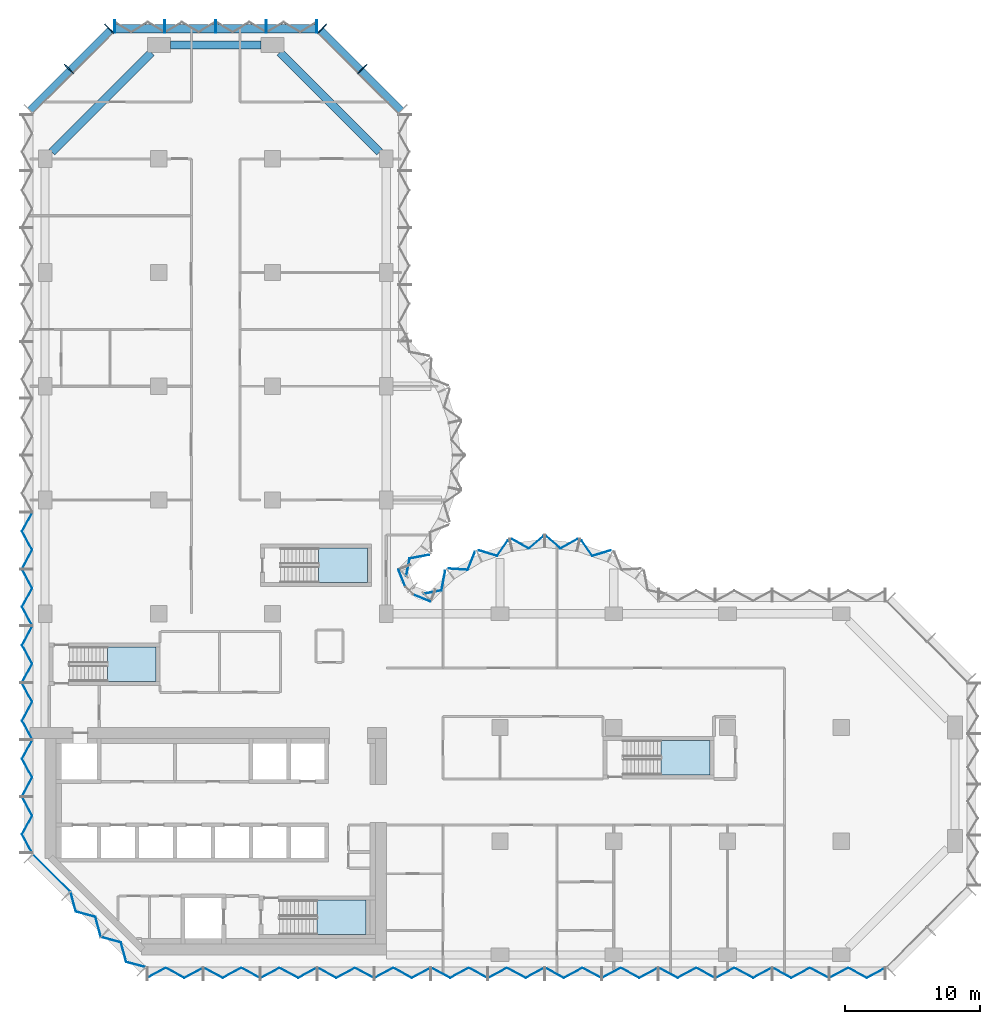
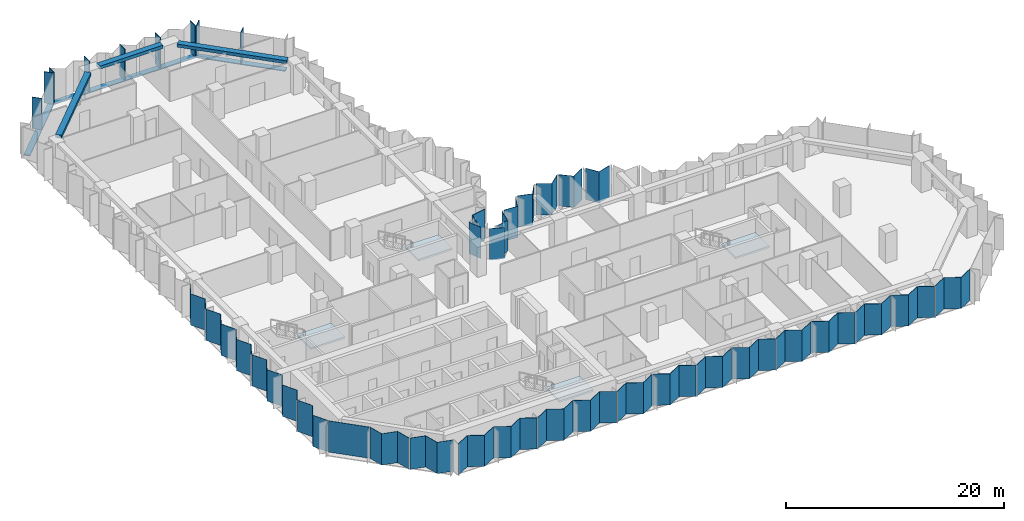
# One storey, part 5 of 13: 31 plates, 12 members, 4 slabs, 3 beams, 13 elements without a shape of their own.
"""IFC4 building model written with IfcOpenShell, lengths in metres."""

from ifc_helpers import new_model, si_unit, direction, frame, origin, origin_2d, place, context, subcontext, project, spatial, polyline, rectangle, outline, extrude, material, layer, layer_set, material_profile, profile_set, type_object, element, aggregate, save


model = new_model("IFC4")

# Units and contexts
model_context = context("Model", 3, precision=1e-05, world=origin(), true_north=direction((0.0, 1.0)))
body_context = subcontext(model_context, "Body", "Model", "MODEL_VIEW")
ifc_project = project(units=[si_unit("LENGTHUNIT", "METRE"), si_unit("AREAUNIT", "SQUARE_METRE"), si_unit("VOLUMEUNIT", "CUBIC_METRE"), si_unit("PLANEANGLEUNIT", "RADIAN"), si_unit("MASSUNIT", "GRAM", prefix="KILO")], contexts=[model_context])

# Site, building, storey
site_placement = place(None, origin())
site = spatial("IfcSite", under=ifc_project, at=site_placement, CompositionType="ELEMENT")
building_placement = place(site_placement, origin())
building = spatial("IfcBuilding", under=site, at=building_placement, Name="Brevane Broadcast Tower", CompositionType="ELEMENT")
storey_placement = place(building_placement, frame((0.0, 0.0, 109.699951171875)))
storey = spatial("IfcBuildingStorey", under=building, at=storey_placement, Name="L26", CompositionType="ELEMENT", Elevation=109.699951171875)

# Curtain wall, members
ifc_material_1 = material(Name="Aluminium 6063-T6 bronze anodised", Category="aluminium")
curtain_wall_type = type_object("IfcCurtainWallType", Name="CW-1 curtain wall", PredefinedType="NOTDEFINED", material=ifc_material_1)
curtain_wall_1_placement = place(storey_placement, origin())
curtain_wall_1 = element("IfcCurtainWall", 1, at=curtain_wall_1_placement, inside=storey, type_object=curtain_wall_type, Name="CW-1 typical tilted unit L26 north arm north-east chamfer", PredefinedType="NOTDEFINED")
ifc_material_profile_1 = material_profile(ifc_material_1, rectangle(XDim=0.949951171875, YDim=0.070068359375, at=origin_2d()), Name="RECT 70x950")
ifc_profile_set_1 = profile_set([ifc_material_profile_1], Name="Aluminium 6063-T6 bronze anodised")
member_type_1 = type_object("IfcMemberType", Name="CW-1 mullion 70x950", PredefinedType="MULLION", material=ifc_profile_set_1)
member_1_placement = place(storey_placement, frame((23.435791015625, 65.435791015625, -0.14990234375), z_axis=(0.0, 0.0, 1.0), x_axis=(-0.707106781187, -0.707106781187, 0.0)))
member_1 = element("IfcMember", 2, at=member_1_placement, type_object=member_type_1, Name="CW-1 mullion", PredefinedType="MULLION", context=body_context, shape_type="SweptSolid", body=[
    extrude(rectangle(XDim=0.949951171875, YDim=0.070068359375, at=origin_2d()), origin(), (0.0, 0.0, 1.0), 3.5),
])
member_2_placement = place(storey_placement, frame((20.460693359375, 68.4111328125, -0.14990234375), z_axis=(0.0, 0.0, 1.0), x_axis=(-0.707106781187, -0.707106781187, 0.0)))
member_2 = element("IfcMember", 3, at=member_2_placement, type_object=member_type_1, Name="CW-1 mullion", PredefinedType="MULLION", context=body_context, shape_type="SweptSolid", body=[
    extrude(rectangle(XDim=0.949951171875, YDim=0.070068359375, at=origin_2d()), origin(), (0.0, 0.0, 1.0), 3.5),
])

curtain_wall_2_placement = place(storey_placement, origin())
curtain_wall_2 = element("IfcCurtainWall", 4, at=curtain_wall_2_placement, inside=storey, type_object=curtain_wall_type, Name="CW-1 typical tilted unit L26 north end", PredefinedType="NOTDEFINED")
member_3_placement = place(storey_placement, frame((20.06494140625, 68.574951171875, -0.14990234375), z_axis=(0.0, 0.0, 1.0), x_axis=(0.0, -1.0, 0.0)))
member_3 = element("IfcMember", 5, at=member_3_placement, type_object=member_type_1, Name="CW-1 mullion", PredefinedType="MULLION", context=body_context, shape_type="SweptSolid", body=[
    extrude(rectangle(XDim=0.949951171875, YDim=0.070068359375, at=origin_2d()), origin(), (0.0, 0.0, 1.0), 3.5),
])
member_4_placement = place(storey_placement, frame((16.35009765625, 68.574951171875, -0.14990234375), z_axis=(0.0, 0.0, 1.0), x_axis=(0.0, -1.0, 0.0)))
member_4 = element("IfcMember", 6, at=member_4_placement, type_object=member_type_1, Name="CW-1 mullion", PredefinedType="MULLION", context=body_context, shape_type="SweptSolid", body=[
    extrude(rectangle(XDim=0.949951171875, YDim=0.070068359375, at=origin_2d()), origin(), (0.0, 0.0, 1.0), 3.5),
])
member_5_placement = place(storey_placement, frame((12.60009765625, 68.574951171875, -0.14990234375), z_axis=(0.0, 0.0, 1.0), x_axis=(0.0, -1.0, 0.0)))
member_5 = element("IfcMember", 7, at=member_5_placement, type_object=member_type_1, Name="CW-1 mullion", PredefinedType="MULLION", context=body_context, shape_type="SweptSolid", body=[
    extrude(rectangle(XDim=0.949951171875, YDim=0.070068359375, at=origin_2d()), origin(), (0.0, 0.0, 1.0), 3.5),
])
member_6_placement = place(storey_placement, frame((8.85009765625, 68.574951171875, -0.14990234375), z_axis=(0.0, 0.0, 1.0), x_axis=(0.0, -1.0, 0.0)))
member_6 = element("IfcMember", 8, at=member_6_placement, type_object=member_type_1, Name="CW-1 mullion", PredefinedType="MULLION", context=body_context, shape_type="SweptSolid", body=[
    extrude(rectangle(XDim=0.949951171875, YDim=0.070068359375, at=origin_2d()), origin(), (0.0, 0.0, 1.0), 3.5),
])
member_7_placement = place(storey_placement, frame((5.135009765625, 68.574951171875, -0.14990234375), z_axis=(0.0, 0.0, 1.0), x_axis=(0.0, -1.0, 0.0)))
member_7 = element("IfcMember", 9, at=member_7_placement, type_object=member_type_1, Name="CW-1 mullion", PredefinedType="MULLION", context=body_context, shape_type="SweptSolid", body=[
    extrude(rectangle(XDim=0.949951171875, YDim=0.070068359375, at=origin_2d()), origin(), (0.0, 0.0, 1.0), 3.5),
])

curtain_wall_3_placement = place(storey_placement, origin())
curtain_wall_3 = element("IfcCurtainWall", 10, at=curtain_wall_3_placement, inside=storey, type_object=curtain_wall_type, Name="CW-1 typical tilted unit L26 north-west chamfer", PredefinedType="NOTDEFINED")
member_8_placement = place(storey_placement, frame((4.7392578125, 68.4111328125, -0.14990234375), z_axis=(0.0, 0.0, 1.0), x_axis=(0.707106781187, -0.707106781187, 0.0)))
member_8 = element("IfcMember", 11, at=member_8_placement, type_object=member_type_1, Name="CW-1 mullion", PredefinedType="MULLION", context=body_context, shape_type="SweptSolid", body=[
    extrude(rectangle(XDim=0.949951171875, YDim=0.070068359375, at=origin_2d()), origin(), (0.0, 0.0, 1.0), 3.5),
])
member_9_placement = place(storey_placement, frame((1.76416015625, 65.435791015625, -0.14990234375), z_axis=(0.0, 0.0, 1.0), x_axis=(0.707106781187, -0.707106781187, 0.0)))
member_9 = element("IfcMember", 12, at=member_9_placement, type_object=member_type_1, Name="CW-1 mullion", PredefinedType="MULLION", context=body_context, shape_type="SweptSolid", body=[
    extrude(rectangle(XDim=0.949951171875, YDim=0.070068359375, at=origin_2d()), origin(), (0.0, 0.0, 1.0), 3.5),
])

# Member
ifc_material_profile_2 = material_profile(ifc_material_1, rectangle(XDim=0.60009765625, YDim=0.10009765625, at=origin_2d()), Name="RECT 100x600")
ifc_profile_set_2 = profile_set([ifc_material_profile_2], Name="Aluminium 6063-T6 bronze anodised")
member_type_2 = type_object("IfcMemberType", Name="CW-1 transom 100x600", PredefinedType="USERDEFINED", material=ifc_profile_set_2)
member_10_placement = place(storey_placement, frame((26.31201171875, 62.31201171875, -0.199951171875), z_axis=(-0.707106781187, 0.707106781187, 0.0), x_axis=(-0.707106781187, -0.707106781187, 0.0)))
member_10 = element("IfcMember", 13, at=member_10_placement, type_object=member_type_2, Name="CW-1 transom", ObjectType="TRANSOM", PredefinedType="USERDEFINED", context=body_context, shape_type="SweptSolid", body=[
    extrude(rectangle(XDim=0.60009765625, YDim=0.10009765625, at=origin_2d()), origin(), (0.0, 0.0, 1.0), 8.4853515625),
])

aggregate(curtain_wall_1, [member_1, member_2, member_10])

member_11_placement = place(storey_placement, frame((20.10009765625, 68.39990234375, -0.199951171875), z_axis=(-1.0, 0.0, 0.0), x_axis=(0.0, -1.0, 0.0)))
member_11 = element("IfcMember", 14, at=member_11_placement, type_object=member_type_2, Name="CW-1 transom", ObjectType="TRANSOM", PredefinedType="USERDEFINED", context=body_context, shape_type="SweptSolid", body=[
    extrude(rectangle(XDim=0.60009765625, YDim=0.10009765625, at=origin_2d()), origin(), (0.0, 0.0, 1.0), 15.0),
])

aggregate(curtain_wall_2, [member_3, member_4, member_5, member_6, member_7, member_11])

member_12_placement = place(storey_placement, frame((4.887939453125, 68.31201171875, -0.199951171875), z_axis=(-0.707106781187, -0.707106781187, 0.0), x_axis=(0.707106781187, -0.707106781187, 0.0)))
member_12 = element("IfcMember", 15, at=member_12_placement, type_object=member_type_2, Name="CW-1 transom", ObjectType="TRANSOM", PredefinedType="USERDEFINED", context=body_context, shape_type="SweptSolid", body=[
    extrude(rectangle(XDim=0.60009765625, YDim=0.10009765625, at=origin_2d()), origin(), (0.0, 0.0, 1.0), 8.4853515625),
])

aggregate(curtain_wall_3, [member_8, member_9, member_12])

# Beams
ifc_material_2 = material(Name="Concrete C40/50", Category="concrete")
ifc_material_profile_3 = material_profile(ifc_material_2, rectangle(XDim=0.60009765625, YDim=0.35009765625, at=origin_2d()), Name="RC 600x350")
ifc_profile_set_3 = profile_set([ifc_material_profile_3], Name="Concrete C40/50")
beam_type = type_object("IfcBeamType", Name="RC SPANDREL BEAM 600x350 C40/50", PredefinedType="SPANDREL", material=ifc_profile_set_3)
beam_1_placement = place(storey_placement, frame((24.699951171875, 59.300048828125, 3.175048828125), z_axis=(-0.707106781187, 0.707106781187, 0.0), x_axis=(-0.707106781187, -0.707106781187, 0.0)))
element("IfcBeam", 16, at=beam_1_placement, inside=storey, type_object=beam_type, Name="EB1 L26-16", PredefinedType="SPANDREL", context=body_context, shape_type="SweptSolid", body=[
    extrude(rectangle(XDim=0.60009765625, YDim=0.35009765625, at=origin_2d()), origin(), (0.0, 0.0, 1.0), 10.394287109375),
])
beam_2_placement = place(storey_placement, frame((15.949951171875, 67.199951171875, 3.175048828125), z_axis=(-1.0, 0.0, 0.0), x_axis=(0.0, -1.0, 0.0)))
element("IfcBeam", 17, at=beam_2_placement, inside=storey, type_object=beam_type, Name="EB1 L26-17", PredefinedType="SPANDREL", context=body_context, shape_type="SweptSolid", body=[
    extrude(rectangle(XDim=0.60009765625, YDim=0.35009765625, at=origin_2d()), origin(), (0.0, 0.0, 1.0), 6.699951171875),
])
beam_3_placement = place(storey_placement, frame((7.85009765625, 66.64990234375, 3.175048828125), z_axis=(-0.707118524903, -0.707095037275, 0.0), x_axis=(0.707095037275, -0.707118524903, 0.0)))
element("IfcBeam", 18, at=beam_3_placement, inside=storey, type_object=beam_type, Name="EB1 L26-18", PredefinedType="SPANDREL", context=body_context, shape_type="SweptSolid", body=[
    extrude(rectangle(XDim=0.60009765625, YDim=0.35009765625, at=origin_2d()), origin(), (0.0, 0.0, 1.0), 10.39453125),
])

# Curtain wall, plates
curtain_wall_4_placement = place(storey_placement, origin())
curtain_wall_4 = element("IfcCurtainWall", 19, at=curtain_wall_4_placement, inside=storey, type_object=curtain_wall_type, Name="CW-1 typical tilted unit L26 south face", PredefinedType="NOTDEFINED")
ifc_material_3 = material(Name="Laminated glass bronze-tinted", Category="glass")
ifc_layer_1 = layer(ifc_material_3, 0.0400390625)
ifc_layer_set_1 = layer_set([ifc_layer_1], Name="CW tall glass panel 40")
plate_type = type_object("IfcPlateType", Name="CW tall glass panel 40", PredefinedType="CURTAIN_PANEL", material=ifc_layer_set_1)
plate_1_placement = place(storey_placement, frame((0.0, 0.0, -0.14990234375)))
plate_1 = element("IfcPlate", 20, at=plate_1_placement, type_object=plate_type, Name="CW-1 glass panel", PredefinedType="CURTAIN_PANEL", context=body_context, shape_type="SweptSolid", body=[
    extrude(outline(polyline([(7.534912109375, -1.671630859375), (7.534912109375, -1.717041015625), (8.91162109375, -0.97265625), (10.288330078125, -1.717041015625), (11.6650390625, -0.97265625), (11.6650390625, -0.92724609375), (10.288330078125, -1.671630859375), (8.91162109375, -0.92724609375), (7.534912109375, -1.671630859375)])), origin(), (0.0, 0.0, 1.0), 3.5),
])
plate_2_placement = place(storey_placement, frame((0.0, 0.0, -0.14990234375)))
plate_2 = element("IfcPlate", 21, at=plate_2_placement, type_object=plate_type, Name="CW-1 glass panel", PredefinedType="CURTAIN_PANEL", context=body_context, shape_type="SweptSolid", body=[
    extrude(outline(polyline([(11.735107421875, -0.92724609375), (11.735107421875, -0.97265625), (13.11181640625, -1.717041015625), (14.48828125, -0.97265625), (15.864990234375, -1.717041015625), (15.864990234375, -1.671630859375), (14.48828125, -0.92724609375), (13.11181640625, -1.671630859375), (11.735107421875, -0.92724609375)])), origin(), (0.0, 0.0, 1.0), 3.5),
])
plate_3_placement = place(storey_placement, frame((0.0, 0.0, -0.14990234375)))
plate_3 = element("IfcPlate", 22, at=plate_3_placement, type_object=plate_type, Name="CW-1 glass panel", PredefinedType="CURTAIN_PANEL", context=body_context, shape_type="SweptSolid", body=[
    extrude(outline(polyline([(15.93505859375, -1.671630859375), (15.93505859375, -1.717041015625), (17.311767578125, -0.97265625), (18.688232421875, -1.717041015625), (20.06494140625, -0.97265625), (20.06494140625, -0.92724609375), (18.688232421875, -1.671630859375), (17.311767578125, -0.92724609375), (15.93505859375, -1.671630859375)])), origin(), (0.0, 0.0, 1.0), 3.5),
])
plate_4_placement = place(storey_placement, frame((0.0, 0.0, -0.14990234375)))
plate_4 = element("IfcPlate", 23, at=plate_4_placement, type_object=plate_type, Name="CW-1 glass panel", PredefinedType="CURTAIN_PANEL", context=body_context, shape_type="SweptSolid", body=[
    extrude(outline(polyline([(20.135009765625, -0.92724609375), (20.135009765625, -0.97265625), (21.51171875, -1.717041015625), (22.88818359375, -0.97265625), (24.264892578125, -1.717041015625), (24.264892578125, -1.671630859375), (22.88818359375, -0.92724609375), (21.51171875, -1.671630859375), (20.135009765625, -0.92724609375)])), origin(), (0.0, 0.0, 1.0), 3.5),
])
plate_5_placement = place(storey_placement, frame((0.0, 0.0, -0.14990234375)))
plate_5 = element("IfcPlate", 24, at=plate_5_placement, type_object=plate_type, Name="CW-1 glass panel", PredefinedType="CURTAIN_PANEL", context=body_context, shape_type="SweptSolid", body=[
    extrude(outline(polyline([(24.3349609375, -1.671630859375), (24.3349609375, -1.717041015625), (25.711669921875, -0.97265625), (27.08837890625, -1.717041015625), (28.465087890625, -0.97265625), (28.465087890625, -0.92724609375), (27.08837890625, -1.671630859375), (25.711669921875, -0.92724609375), (24.3349609375, -1.671630859375)])), origin(), (0.0, 0.0, 1.0), 3.5),
])
plate_6_placement = place(storey_placement, frame((0.0, 0.0, -0.14990234375)))
plate_6 = element("IfcPlate", 25, at=plate_6_placement, type_object=plate_type, Name="CW-1 glass panel", PredefinedType="CURTAIN_PANEL", context=body_context, shape_type="SweptSolid", body=[
    extrude(outline(polyline([(28.534912109375, -0.92724609375), (28.534912109375, -0.97265625), (29.91162109375, -1.717041015625), (31.288330078125, -0.97265625), (32.6650390625, -1.717041015625), (32.6650390625, -1.671630859375), (31.288330078125, -0.92724609375), (29.91162109375, -1.671630859375), (28.534912109375, -0.92724609375)])), origin(), (0.0, 0.0, 1.0), 3.5),
])
plate_7_placement = place(storey_placement, frame((0.0, 0.0, -0.14990234375)))
plate_7 = element("IfcPlate", 26, at=plate_7_placement, type_object=plate_type, Name="CW-1 glass panel", PredefinedType="CURTAIN_PANEL", context=body_context, shape_type="SweptSolid", body=[
    extrude(outline(polyline([(32.735107421875, -1.671630859375), (32.735107421875, -1.717041015625), (34.11181640625, -0.97265625), (35.48828125, -1.717041015625), (36.864990234375, -0.97265625), (36.864990234375, -0.92724609375), (35.48828125, -1.671630859375), (34.11181640625, -0.92724609375), (32.735107421875, -1.671630859375)])), origin(), (0.0, 0.0, 1.0), 3.5),
])
plate_8_placement = place(storey_placement, frame((0.0, 0.0, -0.14990234375)))
plate_8 = element("IfcPlate", 27, at=plate_8_placement, type_object=plate_type, Name="CW-1 glass panel", PredefinedType="CURTAIN_PANEL", context=body_context, shape_type="SweptSolid", body=[
    extrude(outline(polyline([(36.93505859375, -0.92724609375), (36.93505859375, -0.97265625), (38.311767578125, -1.717041015625), (39.688232421875, -0.97265625), (41.06494140625, -1.717041015625), (41.06494140625, -1.671630859375), (39.688232421875, -0.92724609375), (38.311767578125, -1.671630859375), (36.93505859375, -0.92724609375)])), origin(), (0.0, 0.0, 1.0), 3.5),
])
plate_9_placement = place(storey_placement, frame((0.0, 0.0, -0.14990234375)))
plate_9 = element("IfcPlate", 28, at=plate_9_placement, type_object=plate_type, Name="CW-1 glass panel", PredefinedType="CURTAIN_PANEL", context=body_context, shape_type="SweptSolid", body=[
    extrude(outline(polyline([(41.135009765625, -1.671630859375), (41.135009765625, -1.717041015625), (42.51171875, -0.97265625), (43.88818359375, -1.717041015625), (45.264892578125, -0.97265625), (45.264892578125, -0.92724609375), (43.88818359375, -1.671630859375), (42.51171875, -0.92724609375), (41.135009765625, -1.671630859375)])), origin(), (0.0, 0.0, 1.0), 3.5),
])
plate_10_placement = place(storey_placement, frame((0.0, 0.0, -0.14990234375)))
plate_10 = element("IfcPlate", 29, at=plate_10_placement, type_object=plate_type, Name="CW-1 glass panel", PredefinedType="CURTAIN_PANEL", context=body_context, shape_type="SweptSolid", body=[
    extrude(outline(polyline([(45.3349609375, -0.92724609375), (45.3349609375, -0.97265625), (46.711669921875, -1.717041015625), (48.08837890625, -0.97265625), (49.465087890625, -1.717041015625), (49.465087890625, -1.671630859375), (48.08837890625, -0.92724609375), (46.711669921875, -1.671630859375), (45.3349609375, -0.92724609375)])), origin(), (0.0, 0.0, 1.0), 3.5),
])
plate_11_placement = place(storey_placement, frame((0.0, 0.0, -0.14990234375)))
plate_11 = element("IfcPlate", 30, at=plate_11_placement, type_object=plate_type, Name="CW-1 glass panel", PredefinedType="CURTAIN_PANEL", context=body_context, shape_type="SweptSolid", body=[
    extrude(outline(polyline([(49.534912109375, -1.671630859375), (49.534912109375, -1.717041015625), (50.91162109375, -0.97265625), (52.288330078125, -1.717041015625), (53.6650390625, -0.97265625), (53.6650390625, -0.92724609375), (52.288330078125, -1.671630859375), (50.91162109375, -0.92724609375), (49.534912109375, -1.671630859375)])), origin(), (0.0, 0.0, 1.0), 3.5),
])
plate_12_placement = place(storey_placement, frame((0.0, 0.0, -0.14990234375)))
plate_12 = element("IfcPlate", 31, at=plate_12_placement, type_object=plate_type, Name="CW-1 glass panel", PredefinedType="CURTAIN_PANEL", context=body_context, shape_type="SweptSolid", body=[
    extrude(outline(polyline([(53.735107421875, -0.92724609375), (53.735107421875, -0.97265625), (55.11181640625, -1.717041015625), (56.48828125, -0.97265625), (57.864990234375, -1.717041015625), (57.864990234375, -1.671630859375), (56.48828125, -0.92724609375), (55.11181640625, -1.671630859375), (53.735107421875, -0.92724609375)])), origin(), (0.0, 0.0, 1.0), 3.5),
])
plate_13_placement = place(storey_placement, frame((0.0, 0.0, -0.14990234375)))
plate_13 = element("IfcPlate", 32, at=plate_13_placement, type_object=plate_type, Name="CW-1 glass panel", PredefinedType="CURTAIN_PANEL", context=body_context, shape_type="SweptSolid", body=[
    extrude(outline(polyline([(57.93505859375, -1.671630859375), (57.93505859375, -1.717041015625), (59.311767578125, -0.97265625), (60.688232421875, -1.717041015625), (62.06494140625, -0.97265625), (62.06494140625, -0.92724609375), (60.688232421875, -1.671630859375), (59.311767578125, -0.92724609375), (57.93505859375, -1.671630859375)])), origin(), (0.0, 0.0, 1.0), 3.5),
])
aggregate(curtain_wall_4, [plate_1, plate_2, plate_3, plate_4, plate_5, plate_6, plate_7, plate_8, plate_9, plate_10, plate_11, plate_12, plate_13])

curtain_wall_5_placement = place(storey_placement, origin())
curtain_wall_5 = element("IfcCurtainWall", 33, at=curtain_wall_5_placement, inside=storey, type_object=curtain_wall_type, Name="CW-1 typical tilted unit L26 east bow", PredefinedType="NOTDEFINED")
plate_14_placement = place(storey_placement, frame((0.0, 0.0, -0.14990234375)))
plate_14 = element("IfcPlate", 34, at=plate_14_placement, type_object=plate_type, Name="CW-1 glass panel", PredefinedType="CURTAIN_PANEL", context=body_context, shape_type="SweptSolid", body=[
    extrude(outline(polyline([(41.75537109375, 29.851806640625), (41.778564453125, 29.900634765625), (40.435546875, 29.494384765625), (39.6328125, 30.622802734375), (39.62060546875, 30.57080078125), (40.41943359375, 29.44775390625), (41.75537109375, 29.851806640625)])), origin(), (0.0, 0.0, 1.0), 3.5),
])
plate_15_placement = place(storey_placement, frame((0.0, 0.0, -0.14990234375)))
plate_15 = element("IfcPlate", 35, at=plate_15_placement, type_object=plate_type, Name="CW-1 glass panel", PredefinedType="CURTAIN_PANEL", context=body_context, shape_type="SweptSolid", body=[
    extrude(outline(polyline([(39.31640625, 30.68798828125), (39.328369140625, 30.740478515625), (38.069580078125, 30.036376953125), (37.008056640625, 30.94921875), (37.008056640625, 30.896484375), (38.064697265625, 29.98779296875), (39.31640625, 30.68798828125)])), origin(), (0.0, 0.0, 1.0), 3.5),
])
plate_16_placement = place(storey_placement, frame((0.0, 0.0, -0.14990234375)))
plate_16 = element("IfcPlate", 36, at=plate_16_placement, type_object=plate_type, Name="CW-1 glass panel", PredefinedType="CURTAIN_PANEL", context=body_context, shape_type="SweptSolid", body=[
    extrude(outline(polyline([(36.7919921875, 30.896484375), (36.7919921875, 30.94921875), (35.730224609375, 30.036376953125), (34.4716796875, 30.740478515625), (34.483642578125, 30.68798828125), (35.735107421875, 29.98779296875), (36.7919921875, 30.896484375)])), origin(), (0.0, 0.0, 1.0), 3.5),
])
plate_17_placement = place(storey_placement, frame((0.0, 0.0, -0.14990234375)))
plate_17 = element("IfcPlate", 37, at=plate_17_placement, type_object=plate_type, Name="CW-1 glass panel", PredefinedType="CURTAIN_PANEL", context=body_context, shape_type="SweptSolid", body=[
    extrude(outline(polyline([(34.17919921875, 30.57080078125), (34.167236328125, 30.622802734375), (33.364501953125, 29.494384765625), (32.021484375, 29.900634765625), (32.044677734375, 29.851806640625), (33.380615234375, 29.44775390625), (34.17919921875, 30.57080078125)])), origin(), (0.0, 0.0, 1.0), 3.5),
])
plate_18_placement = place(storey_placement, frame((0.0, 0.0, -0.14990234375)))
plate_18 = element("IfcPlate", 38, at=plate_18_placement, type_object=plate_type, Name="CW-1 glass panel", PredefinedType="CURTAIN_PANEL", context=body_context, shape_type="SweptSolid", body=[
    extrude(outline(polyline([(31.753173828125, 29.712890625), (31.729736328125, 29.76171875), (31.198486328125, 28.462890625), (29.816650390625, 28.551025390625), (29.849609375, 28.5087890625), (31.224609375, 28.42138671875), (31.753173828125, 29.712890625)])), origin(), (0.0, 0.0, 1.0), 3.5),
])
plate_19_placement = place(storey_placement, frame((0.0, 0.0, -0.14990234375)))
plate_19 = element("IfcPlate", 39, at=plate_19_placement, type_object=plate_type, Name="CW-1 glass panel", PredefinedType="CURTAIN_PANEL", context=body_context, shape_type="SweptSolid", body=[
    extrude(outline(polyline([(29.568603515625, 28.34375), (29.535888671875, 28.3857421875), (29.2607421875, 26.9423828125), (27.975341796875, 26.690185546875), (28.008544921875, 26.656005859375), (29.294921875, 26.908203125), (29.568603515625, 28.34375)])), origin(), (0.0, 0.0, 1.0), 3.5),
])
aggregate(curtain_wall_5, [plate_14, plate_15, plate_16, plate_17, plate_18, plate_19])

curtain_wall_6_placement = place(storey_placement, origin())
curtain_wall_6 = element("IfcCurtainWall", 40, at=curtain_wall_6_placement, inside=storey, type_object=curtain_wall_type, Name="CW-1 typical tilted unit L26 inner corner", PredefinedType="NOTDEFINED")
plate_20_placement = place(storey_placement, frame((0.0, 0.0, -0.14990234375)))
plate_20 = element("IfcPlate", 41, at=plate_20_placement, type_object=plate_type, Name="CW-1 glass panel", PredefinedType="CURTAIN_PANEL", context=body_context, shape_type="SweptSolid", body=[
    extrude(outline(polyline([(28.45166015625, 26.07470703125), (28.466796875, 26.111572265625), (27.2021484375, 26.635498046875), (27.17138671875, 26.60498046875), (28.45166015625, 26.07470703125)])), origin(), (0.0, 0.0, 1.0), 3.5),
])
plate_21_placement = place(storey_placement, frame((0.0, 0.0, -0.14990234375)))
plate_21 = element("IfcPlate", 42, at=plate_21_placement, type_object=plate_type, Name="CW-1 glass panel", PredefinedType="CURTAIN_PANEL", context=body_context, shape_type="SweptSolid", body=[
    extrude(outline(polyline([(26.60498046875, 27.17138671875), (26.635498046875, 27.2021484375), (26.111572265625, 28.466796875), (26.07470703125, 28.45166015625), (26.60498046875, 27.17138671875)])), origin(), (0.0, 0.0, 1.0), 3.5),
])
aggregate(curtain_wall_6, [plate_20, plate_21])

# Curtain wall, plate
curtain_wall_7_placement = place(storey_placement, origin())
curtain_wall_7 = element("IfcCurtainWall", 43, at=curtain_wall_7_placement, inside=storey, type_object=curtain_wall_type, Name="CW-1 typical tilted unit L26 north bow", PredefinedType="NOTDEFINED")
plate_22_placement = place(storey_placement, frame((0.0, 0.0, -0.14990234375)))
plate_22 = element("IfcPlate", 44, at=plate_22_placement, type_object=plate_type, Name="CW-1 glass panel", PredefinedType="CURTAIN_PANEL", context=body_context, shape_type="SweptSolid", body=[
    extrude(outline(polyline([(26.656005859375, 28.008544921875), (26.690185546875, 27.975341796875), (26.9423828125, 29.2607421875), (28.3857421875, 29.535888671875), (28.34375, 29.568603515625), (26.908203125, 29.294921875), (26.656005859375, 28.008544921875)])), origin(), (0.0, 0.0, 1.0), 3.5),
])
aggregate(curtain_wall_7, [plate_22])

# Curtain wall, plates
curtain_wall_8_placement = place(storey_placement, origin())
curtain_wall_8 = element("IfcCurtainWall", 45, at=curtain_wall_8_placement, inside=storey, type_object=curtain_wall_type, Name="CW-1 typical tilted unit L26 west face", PredefinedType="NOTDEFINED")
plate_23_placement = place(storey_placement, frame((0.0, 0.0, -0.14990234375)))
plate_23 = element("IfcPlate", 46, at=plate_23_placement, type_object=plate_type, Name="CW-1 glass panel", PredefinedType="CURTAIN_PANEL", context=body_context, shape_type="SweptSolid", body=[
    extrude(outline(polyline([(-0.92724609375, 32.6650390625), (-0.97265625, 32.6650390625), (-1.717041015625, 31.288330078125), (-0.97265625, 29.91162109375), (-1.717041015625, 28.534912109375), (-1.671630859375, 28.534912109375), (-0.92724609375, 29.91162109375), (-1.671630859375, 31.288330078125), (-0.92724609375, 32.6650390625)])), origin(), (0.0, 0.0, 1.0), 3.5),
])
plate_24_placement = place(storey_placement, frame((0.0, 0.0, -0.14990234375)))
plate_24 = element("IfcPlate", 47, at=plate_24_placement, type_object=plate_type, Name="CW-1 glass panel", PredefinedType="CURTAIN_PANEL", context=body_context, shape_type="SweptSolid", body=[
    extrude(outline(polyline([(-1.671630859375, 28.465087890625), (-1.717041015625, 28.465087890625), (-0.97265625, 27.08837890625), (-1.717041015625, 25.711669921875), (-0.97265625, 24.3349609375), (-0.92724609375, 24.3349609375), (-1.671630859375, 25.711669921875), (-0.92724609375, 27.08837890625), (-1.671630859375, 28.465087890625)])), origin(), (0.0, 0.0, 1.0), 3.5),
])
plate_25_placement = place(storey_placement, frame((0.0, 0.0, -0.14990234375)))
plate_25 = element("IfcPlate", 48, at=plate_25_placement, type_object=plate_type, Name="CW-1 glass panel", PredefinedType="CURTAIN_PANEL", context=body_context, shape_type="SweptSolid", body=[
    extrude(outline(polyline([(-0.92724609375, 24.264892578125), (-0.97265625, 24.264892578125), (-1.717041015625, 22.88818359375), (-0.97265625, 21.51171875), (-1.717041015625, 20.135009765625), (-1.671630859375, 20.135009765625), (-0.92724609375, 21.51171875), (-1.671630859375, 22.88818359375), (-0.92724609375, 24.264892578125)])), origin(), (0.0, 0.0, 1.0), 3.5),
])
plate_26_placement = place(storey_placement, frame((0.0, 0.0, -0.14990234375)))
plate_26 = element("IfcPlate", 49, at=plate_26_placement, type_object=plate_type, Name="CW-1 glass panel", PredefinedType="CURTAIN_PANEL", context=body_context, shape_type="SweptSolid", body=[
    extrude(outline(polyline([(-1.671630859375, 20.06494140625), (-1.717041015625, 20.06494140625), (-0.97265625, 18.688232421875), (-1.717041015625, 17.311767578125), (-0.97265625, 15.93505859375), (-0.92724609375, 15.93505859375), (-1.671630859375, 17.311767578125), (-0.92724609375, 18.688232421875), (-1.671630859375, 20.06494140625)])), origin(), (0.0, 0.0, 1.0), 3.5),
])
plate_27_placement = place(storey_placement, frame((0.0, 0.0, -0.14990234375)))
plate_27 = element("IfcPlate", 50, at=plate_27_placement, type_object=plate_type, Name="CW-1 glass panel", PredefinedType="CURTAIN_PANEL", context=body_context, shape_type="SweptSolid", body=[
    extrude(outline(polyline([(-0.92724609375, 15.864990234375), (-0.97265625, 15.864990234375), (-1.717041015625, 14.48828125), (-0.97265625, 13.11181640625), (-1.717041015625, 11.735107421875), (-1.671630859375, 11.735107421875), (-0.92724609375, 13.11181640625), (-1.671630859375, 14.48828125), (-0.92724609375, 15.864990234375)])), origin(), (0.0, 0.0, 1.0), 3.5),
])
plate_28_placement = place(storey_placement, frame((0.0, 0.0, -0.14990234375)))
plate_28 = element("IfcPlate", 51, at=plate_28_placement, type_object=plate_type, Name="CW-1 glass panel", PredefinedType="CURTAIN_PANEL", context=body_context, shape_type="SweptSolid", body=[
    extrude(outline(polyline([(-1.671630859375, 11.6650390625), (-1.717041015625, 11.6650390625), (-0.97265625, 10.288330078125), (-1.717041015625, 8.91162109375), (-0.97265625, 7.534912109375), (-0.92724609375, 7.534912109375), (-1.671630859375, 8.91162109375), (-0.92724609375, 10.288330078125), (-1.671630859375, 11.6650390625)])), origin(), (0.0, 0.0, 1.0), 3.5),
])
aggregate(curtain_wall_8, [plate_23, plate_24, plate_25, plate_26, plate_27, plate_28])

curtain_wall_9_placement = place(storey_placement, origin())
curtain_wall_9 = element("IfcCurtainWall", 52, at=curtain_wall_9_placement, inside=storey, type_object=curtain_wall_type, Name="CW-1 typical tilted unit L26 south-west chamfer", PredefinedType="NOTDEFINED")
plate_29_placement = place(storey_placement, frame((0.0, 0.0, -0.14990234375)))
plate_29 = element("IfcPlate", 53, at=plate_29_placement, type_object=plate_type, Name="CW-1 glass panel", PredefinedType="CURTAIN_PANEL", context=body_context, shape_type="SweptSolid", body=[
    extrude(outline(polyline([(-0.896484375, 7.4541015625), (1.85400390625, 4.70361328125), (1.82568359375, 4.67529296875), (-0.9248046875, 7.42578125), (-0.896484375, 7.4541015625)])), origin(), (0.0, 0.0, 1.0), 3.5),
])
plate_30_placement = place(storey_placement, frame((0.0, 0.0, -0.14990234375)))
plate_30 = element("IfcPlate", 54, at=plate_30_placement, type_object=plate_type, Name="CW-1 glass panel", PredefinedType="CURTAIN_PANEL", context=body_context, shape_type="SweptSolid", body=[
    extrude(outline(polyline([(1.90576171875, 4.65625), (1.873046875, 4.62353515625), (2.263671875, 3.180419921875), (3.706787109375, 2.789794921875), (4.09716796875, 1.3466796875), (4.1298828125, 1.37939453125), (3.739501953125, 2.822509765625), (2.296142578125, 3.212890625), (1.90576171875, 4.65625)])), origin(), (0.0, 0.0, 1.0), 3.5),
])
plate_31_placement = place(storey_placement, frame((0.0, 0.0, -0.14990234375)))
plate_31 = element("IfcPlate", 55, at=plate_31_placement, type_object=plate_type, Name="CW-1 glass panel", PredefinedType="CURTAIN_PANEL", context=body_context, shape_type="SweptSolid", body=[
    extrude(outline(polyline([(4.17919921875, 1.329833984375), (4.146728515625, 1.297119140625), (5.58984375, 0.90673828125), (5.98046875, -0.536376953125), (7.423583984375, -0.927001953125), (7.456298828125, -0.894287109375), (6.012939453125, -0.50390625), (5.62255859375, 0.939453125), (4.17919921875, 1.329833984375)])), origin(), (0.0, 0.0, 1.0), 3.5),
])
aggregate(curtain_wall_9, [plate_29, plate_30, plate_31])

# Stair, slab
ifc_material_4 = material(Name="Concrete C50/60", Category="concrete")
stair_type = type_object("IfcStairType", Name="Exit stair 22 risers", PredefinedType="HALF_TURN_STAIR", material=ifc_material_4)
stair_1_placement = place(storey_placement, origin())
stair_1 = element("IfcStair", 56, at=stair_1_placement, inside=storey, type_object=stair_type, Name="L26 Exit stair ST-1", PredefinedType="HALF_TURN_STAIR")
ifc_layer_2 = layer(ifc_material_4, 0.199951171875)
ifc_layer_set_2 = layer_set([ifc_layer_2], Name="Exit stair landing")
slab_type = type_object("IfcSlabType", Name="Exit stair landing", PredefinedType="LANDING", material=ifc_layer_set_2)
slab_1_placement = place(storey_placement, frame((0.0, 0.0, 1.60009765625)))
slab_1 = element("IfcSlab", 57, at=slab_1_placement, type_object=slab_type, Name="ST-1 landing 1", PredefinedType="LANDING", context=body_context, shape_type="SweptSolid", body=[
    extrude(outline(polyline([(4.60009765625, 20.199951171875), (8.199951171875, 20.199951171875), (8.199951171875, 22.75), (4.60009765625, 22.75), (4.60009765625, 20.199951171875)])), origin(), (0.0, 0.0, 1.0), 0.199951171875),
])
aggregate(stair_1, [slab_1])

stair_2_placement = place(storey_placement, origin())
stair_2 = element("IfcStair", 58, at=stair_2_placement, inside=storey, type_object=stair_type, Name="L26 Exit stair ST-2", PredefinedType="HALF_TURN_STAIR")
slab_2_placement = place(storey_placement, frame((0.0, 0.0, 1.60009765625)))
slab_2 = element("IfcSlab", 59, at=slab_2_placement, type_object=slab_type, Name="ST-2 landing 1", PredefinedType="LANDING", context=body_context, shape_type="SweptSolid", body=[
    extrude(outline(polyline([(20.10009765625, 1.5), (23.699951171875, 1.5), (23.699951171875, 4.050048828125), (20.10009765625, 4.050048828125), (20.10009765625, 1.5)])), origin(), (0.0, 0.0, 1.0), 0.199951171875),
])
aggregate(stair_2, [slab_2])

stair_3_placement = place(storey_placement, origin())
stair_3 = element("IfcStair", 60, at=stair_3_placement, inside=storey, type_object=stair_type, Name="L26 Exit stair ST-3", PredefinedType="HALF_TURN_STAIR")
slab_3_placement = place(storey_placement, frame((0.0, 0.0, 1.60009765625)))
slab_3 = element("IfcSlab", 61, at=slab_3_placement, type_object=slab_type, Name="ST-3 landing 1", PredefinedType="LANDING", context=body_context, shape_type="SweptSolid", body=[
    extrude(outline(polyline([(20.199951171875, 27.5), (23.800048828125, 27.5), (23.800048828125, 30.050048828125), (20.199951171875, 30.050048828125), (20.199951171875, 27.5)])), origin(), (0.0, 0.0, 1.0), 0.199951171875),
])
aggregate(stair_3, [slab_3])

stair_4_placement = place(storey_placement, origin())
stair_4 = element("IfcStair", 62, at=stair_4_placement, inside=storey, type_object=stair_type, Name="L26 Exit stair ST-4", PredefinedType="HALF_TURN_STAIR")
slab_4_placement = place(storey_placement, frame((0.0, 0.0, 1.60009765625)))
slab_4 = element("IfcSlab", 63, at=slab_4_placement, type_object=slab_type, Name="ST-4 landing 1", PredefinedType="LANDING", context=body_context, shape_type="SweptSolid", body=[
    extrude(outline(polyline([(45.5, 13.300048828125), (49.10009765625, 13.300048828125), (49.10009765625, 15.85009765625), (45.5, 15.85009765625), (45.5, 13.300048828125)])), origin(), (0.0, 0.0, 1.0), 0.199951171875),
])
aggregate(stair_4, [slab_4])

save(model, "model.ifc")
